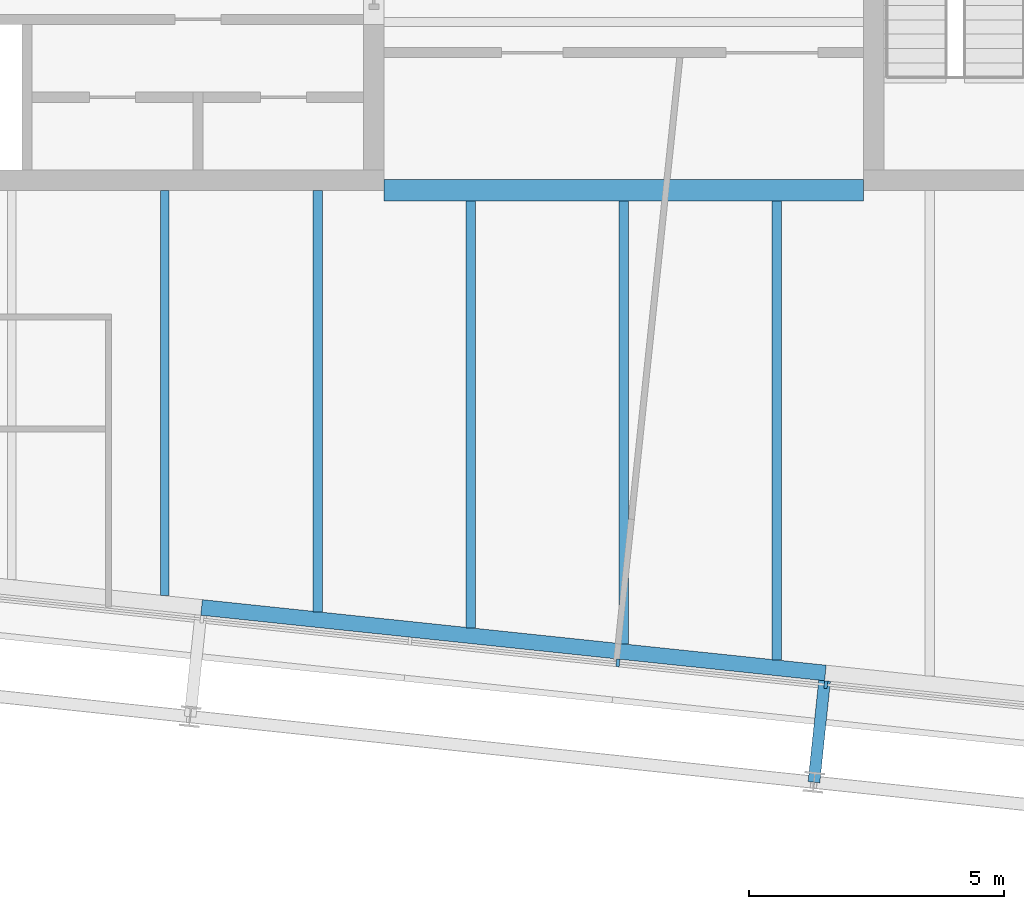
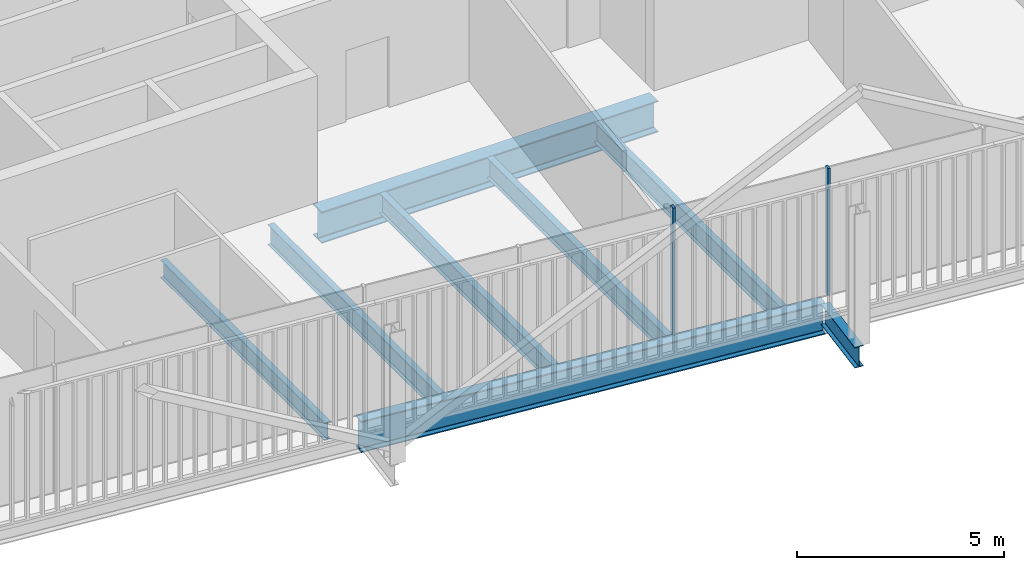
# One storey, part 5 of 21: 8 beams, 2 members, 1 element without a shape of its own.
"""IFC4 building model written with IfcOpenShell, lengths in metres."""

from ifc_helpers import new_model, si_unit, direction, frame, origin, origin_2d, place, context, subcontext, project, spatial, rectangle, i_section, extrude, material, layer, layer_set, material_profile, profile_set, type_object, element, aggregate, save


model = new_model("IFC4")

# Units and contexts
model_context = context("Model", 3, precision=1e-05, world=origin(), true_north=direction((0.0, 1.0)))
body_context = subcontext(model_context, "Body", "Model", "MODEL_VIEW")
ifc_project = project(units=[si_unit("LENGTHUNIT", "METRE"), si_unit("AREAUNIT", "SQUARE_METRE"), si_unit("VOLUMEUNIT", "CUBIC_METRE"), si_unit("PLANEANGLEUNIT", "RADIAN"), si_unit("MASSUNIT", "GRAM", prefix="KILO")], contexts=[model_context])

# Site, building, storey
site_placement = place(None, origin())
site = spatial("IfcSite", under=ifc_project, at=site_placement, CompositionType="ELEMENT")
building_placement = place(site_placement, origin())
building = spatial("IfcBuilding", under=site, at=building_placement, Name="Millrace Tower", CompositionType="ELEMENT")
storey_placement = place(building_placement, frame((0.0, 0.0, 326.5)))
storey = spatial("IfcBuildingStorey", under=building, at=storey_placement, Name="L75", CompositionType="ELEMENT", Elevation=326.5)

# Curtain wall, members
ifc_material_1 = material(Name="Aluminium and glass", Category="aluminium")
ifc_layer = layer(ifc_material_1, 0.14990234375)
ifc_layer_set = layer_set([ifc_layer], Name="Aluminium and glass")
curtain_wall_type = type_object("IfcCurtainWallType", Name="CW-1 office vision curtain wall", PredefinedType="NOTDEFINED", material=ifc_layer_set)
curtain_wall_placement = place(storey_placement, origin())
curtain_wall = element("IfcCurtainWall", 1, at=curtain_wall_placement, inside=storey, type_object=curtain_wall_type, Name="Curtain wall E-F02 L75", PredefinedType="NOTDEFINED")
ifc_material_2 = material(Name="Aluminium", Category="aluminium")
ifc_material_profile_1 = material_profile(ifc_material_2, rectangle(XDim=0.06494140625, YDim=0.14990234375, at=origin_2d()))
ifc_profile_set_1 = profile_set([ifc_material_profile_1], Name="Aluminium")
member_type = type_object("IfcMemberType", Name="CW-1 office vision curtain wall mullion", PredefinedType="MULLION", material=ifc_profile_set_1)
member_1_placement = place(storey_placement, frame((-0.11474609375, -18.567626953125, 0.139892578125), z_axis=(0.0, 0.0, 1.0), x_axis=(0.994521896217, -0.104528455196, 0.0)))
member_1 = element("IfcMember", 2, at=member_1_placement, type_object=member_type, Name="CW1 mullion E-F02.6", PredefinedType="MULLION", context=body_context, shape_type="SweptSolid", body=[
    extrude(rectangle(XDim=0.06494140625, YDim=0.14990234375, at=origin_2d()), origin(), (0.0, 0.0, 1.0), 3.760009765625),
])
member_2_placement = place(storey_placement, frame((3.962890625, -18.99609375, 0.139892578125), z_axis=(0.0, 0.0, 1.0), x_axis=(0.994521896217, -0.104528455196, 0.0)))
member_2 = element("IfcMember", 3, at=member_2_placement, type_object=member_type, Name="CW1 mullion E-F02.7", PredefinedType="MULLION", context=body_context, shape_type="SweptSolid", body=[
    extrude(rectangle(XDim=0.06494140625, YDim=0.14990234375, at=origin_2d()), origin(), (0.0, 0.0, 1.0), 3.760009765625),
])
aggregate(curtain_wall, [member_1, member_2])

# Beams
ifc_material_3 = material(Name="Steel ASTM A992 Grade 50", Category="steel")
ifc_material_profile_2 = material_profile(ifc_material_3, i_section(OverallWidth=0.1650390625, OverallDepth=0.52587890625, WebThickness=0.0087890625, FlangeThickness=0.011474609375, FilletRadius=0.0126953125, at=origin_2d()))
ifc_profile_set_2 = profile_set([ifc_material_profile_2], Name="Steel ASTM A992 Grade 50")
beam_type_1 = type_object("IfcBeamType", Name="Floor beam W21x44", PredefinedType="JOIST", material=ifc_profile_set_2)
beam_1_placement = place(storey_placement, frame((-9.0, -17.249267578125, -0.4228515625), z_axis=(0.0, 1.0, 0.0), x_axis=(-1.0, 0.0, 0.0)))
element("IfcBeam", 4, at=beam_1_placement, inside=storey, type_object=beam_type_1, Name="BM-E-L75-S1-S039", PredefinedType="JOIST", context=body_context, shape_type="SweptSolid", body=[
    extrude(i_section(OverallWidth=0.1650390625, OverallDepth=0.52587890625, WebThickness=0.0087890625, FlangeThickness=0.011474609375, FilletRadius=0.0126953125, at=origin_2d()), origin(), (0.0, 0.0, 1.0), 7.94921875),
])
ifc_material_4 = material(Name="Steel ASTM A992 Grade 50", Category="steel")
ifc_material_profile_3 = material_profile(ifc_material_4, i_section(OverallWidth=0.177978515625, OverallDepth=0.599365234375, WebThickness=0.010009765625, FlangeThickness=0.012939453125, FilletRadius=0.012939453125, at=origin_2d()))
ifc_profile_set_3 = profile_set([ifc_material_profile_3], Name="Steel ASTM A992 Grade 50")
beam_type_2 = type_object("IfcBeamType", Name="Floor beam W24x55", PredefinedType="JOIST", material=ifc_profile_set_3)
beam_2_placement = place(storey_placement, frame((-6.0, -17.564697265625, -0.459716796875), z_axis=(0.0, 1.0, 0.0), x_axis=(-1.0, 0.0, 0.0)))
element("IfcBeam", 5, at=beam_2_placement, inside=storey, type_object=beam_type_2, Name="BM-E-L75-S1-S041", PredefinedType="JOIST", context=body_context, shape_type="SweptSolid", body=[
    extrude(i_section(OverallWidth=0.177978515625, OverallDepth=0.599365234375, WebThickness=0.010009765625, FlangeThickness=0.012939453125, FilletRadius=0.012939453125, at=origin_2d()), origin(), (0.0, 0.0, 1.0), 8.2646484375),
])
beam_3_placement = place(storey_placement, frame((-3.0, -17.8798828125, -0.459716796875), z_axis=(0.0, 1.0, 0.0), x_axis=(-1.0, 0.0, 0.0)))
element("IfcBeam", 6, at=beam_3_placement, inside=storey, type_object=beam_type_2, Name="BM-E-L75-S1-S043", PredefinedType="JOIST", context=body_context, shape_type="SweptSolid", body=[
    extrude(i_section(OverallWidth=0.177978515625, OverallDepth=0.599365234375, WebThickness=0.010009765625, FlangeThickness=0.012939453125, FilletRadius=0.012939453125, at=origin_2d()), origin(), (0.0, 0.0, 1.0), 8.370361328125),
])
beam_4_placement = place(storey_placement, frame((0.0, -18.1953125, -0.459716796875), z_axis=(0.0, 1.0, 0.0), x_axis=(-1.0, 0.0, 0.0)))
element("IfcBeam", 7, at=beam_4_placement, inside=storey, type_object=beam_type_2, Name="BM-E-L75-S1-S045", PredefinedType="JOIST", context=body_context, shape_type="SweptSolid", body=[
    extrude(i_section(OverallWidth=0.177978515625, OverallDepth=0.599365234375, WebThickness=0.010009765625, FlangeThickness=0.012939453125, FilletRadius=0.012939453125, at=origin_2d()), origin(), (0.0, 0.0, 1.0), 8.685791015625),
])
beam_5_placement = place(storey_placement, frame((3.0, -18.510498046875, -0.459716796875), z_axis=(0.0, 1.0, 0.0), x_axis=(-1.0, 0.0, 0.0)))
element("IfcBeam", 8, at=beam_5_placement, inside=storey, type_object=beam_type_2, Name="BM-E-L75-S1-S047", PredefinedType="JOIST", context=body_context, shape_type="SweptSolid", body=[
    extrude(i_section(OverallWidth=0.177978515625, OverallDepth=0.599365234375, WebThickness=0.010009765625, FlangeThickness=0.012939453125, FilletRadius=0.012939453125, at=origin_2d()), origin(), (0.0, 0.0, 1.0), 9.0009765625),
])
ifc_material_5 = material(Name="Steel ASTM A992 Grade 50", Category="steel")
ifc_material_profile_4 = material_profile(ifc_material_5, i_section(OverallWidth=0.419189453125, OverallDepth=0.927001953125, WebThickness=0.019287109375, FlangeThickness=0.031982421875, FilletRadius=0.024169921875, at=origin_2d()))
ifc_profile_set_4 = profile_set([ifc_material_profile_4], Name="Steel ASTM A992 Grade 50")
beam_type_3 = type_object("IfcBeamType", Name="Girder short span W36x231", PredefinedType="BEAM", material=ifc_profile_set_4)
beam_6_placement = place(storey_placement, frame((-4.699951171875, -9.300048828125, -0.62353515625), z_axis=(1.0, 0.0, 0.0), x_axis=(0.0, 1.0, 0.0)))
element("IfcBeam", 9, at=beam_6_placement, inside=storey, type_object=beam_type_3, Name="BM-E-L75-S1-G059", PredefinedType="BEAM", context=body_context, shape_type="SweptSolid", body=[
    extrude(i_section(OverallWidth=0.419189453125, OverallDepth=0.927001953125, WebThickness=0.019287109375, FlangeThickness=0.031982421875, FilletRadius=0.024169921875, at=origin_2d()), origin(), (0.0, 0.0, 1.0), 9.39990234375),
])
ifc_material_6 = material(Name="Steel ASTM A992 Grade 50", Category="steel")
ifc_material_profile_5 = material_profile(ifc_material_6, i_section(OverallWidth=0.23046875, OverallDepth=0.6171875, WebThickness=0.01318359375, FlangeThickness=0.022216796875, FilletRadius=0.012939453125, at=origin_2d()))
ifc_profile_set_5 = profile_set([ifc_material_profile_5], Name="Steel ASTM A992 Grade 50")
beam_type_4 = type_object("IfcBeamType", Name="Link beam W24x94", PredefinedType="BEAM", material=ifc_profile_set_5)
beam_7_placement = place(storey_placement, frame((3.938232421875, -18.918212890625, -0.468505859375), z_axis=(-0.104494148666, -0.99452550138, 0.0), x_axis=(0.99452550138, -0.104494148666, 0.0)))
element("IfcBeam", 10, at=beam_7_placement, inside=storey, type_object=beam_type_4, Name="LNK-E-L75-S1-14", PredefinedType="BEAM", context=body_context, shape_type="SweptSolid", body=[
    extrude(i_section(OverallWidth=0.23046875, OverallDepth=0.6171875, WebThickness=0.01318359375, FlangeThickness=0.022216796875, FilletRadius=0.012939453125, at=origin_2d()), origin(), (0.0, 0.0, 1.0), 2.0),
])
ifc_material_7 = material(Name="Steel ASTM A992 Grade 50", Category="steel")
ifc_material_profile_6 = material_profile(ifc_material_7, i_section(OverallWidth=0.307373046875, OverallDepth=0.927001953125, WebThickness=0.01953125, FlangeThickness=0.031982421875, FilletRadius=0.01904296875, at=origin_2d()))
ifc_profile_set_6 = profile_set([ifc_material_profile_6], Name="Steel ASTM A992 Grade 50")
beam_type_5 = type_object("IfcBeamType", Name="Ring beam medium span W36x194", PredefinedType="SPANDREL", material=ifc_profile_set_6)
beam_8_placement = place(storey_placement, frame((3.954345703125, -18.765380859375, -0.62353515625), z_axis=(-0.994522406476, 0.104523600289, 0.0), x_axis=(-0.104523600289, -0.994522406476, 0.0)))
element("IfcBeam", 11, at=beam_8_placement, inside=storey, type_object=beam_type_5, Name="RNG-E-L75-S1-14", PredefinedType="SPANDREL", context=body_context, shape_type="SweptSolid", body=[
    extrude(i_section(OverallWidth=0.307373046875, OverallDepth=0.927001953125, WebThickness=0.01953125, FlangeThickness=0.031982421875, FilletRadius=0.01904296875, at=origin_2d()), origin(), (0.0, 0.0, 1.0), 12.300048828125),
])

save(model, "model.ifc")
